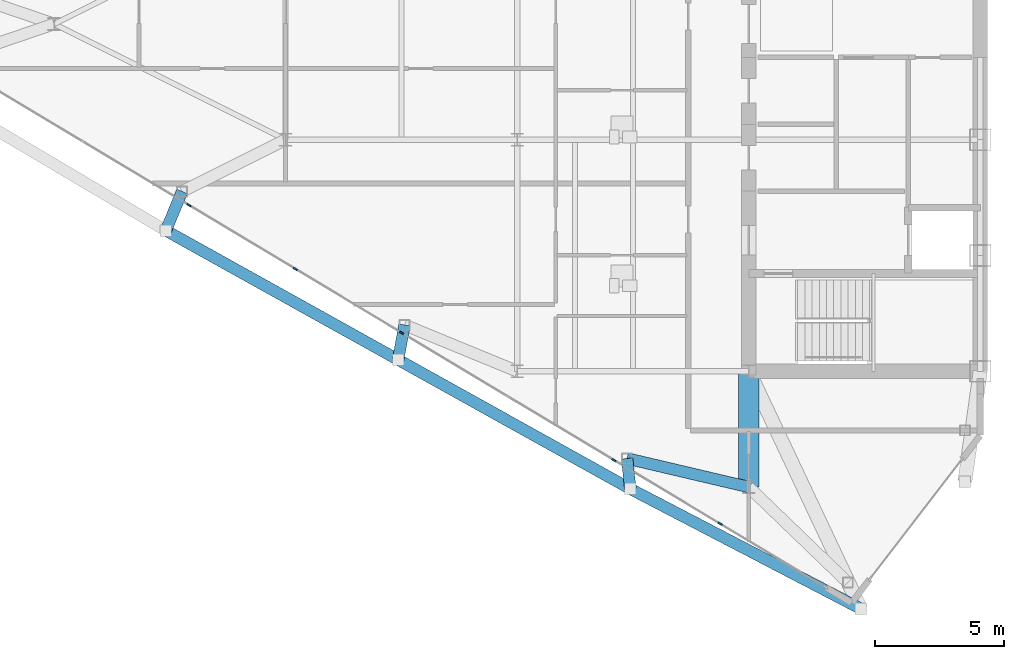
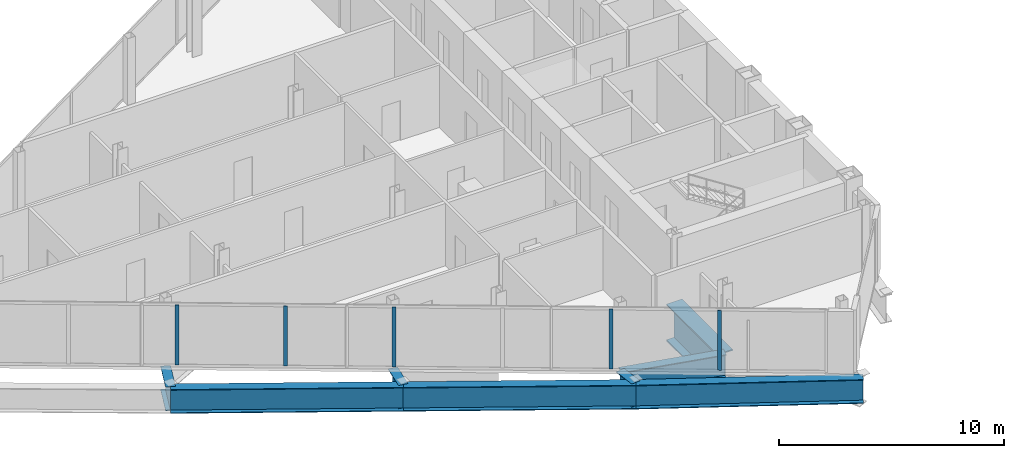
# One storey, part 5 of 29: 8 beams, 5 members, 1 element without a shape of its own.
"""IFC4 building model written with IfcOpenShell, lengths in metres."""

from ifc_helpers import new_model, si_unit, direction, frame, origin, origin_2d, place, context, subcontext, project, spatial, rectangle, i_section, extrude, source, transform, mapped, material, layer, layer_set, material_profile, profile_set, type_object, type_shapes, element, aggregate, save


model = new_model("IFC4")

# Units and contexts
model_context = context("Model", 3, precision=1e-05, world=origin(), true_north=direction((0.0, 1.0)))
body_context = subcontext(model_context, "Body", "Model", "MODEL_VIEW")
ifc_project = project(units=[si_unit("LENGTHUNIT", "METRE"), si_unit("AREAUNIT", "SQUARE_METRE"), si_unit("VOLUMEUNIT", "CUBIC_METRE"), si_unit("PLANEANGLEUNIT", "RADIAN"), si_unit("MASSUNIT", "GRAM", prefix="KILO")], contexts=[model_context])

# Site, building, storey
site_placement = place(None, origin())
site = spatial("IfcSite", under=ifc_project, at=site_placement, CompositionType="ELEMENT")
building_placement = place(site_placement, origin())
building = spatial("IfcBuilding", under=site, at=building_placement, Name="Seokmaru Belvedere", CompositionType="ELEMENT")
storey_placement = place(building_placement, frame((0.0, 0.0, 195.89990234375)))
storey = spatial("IfcBuildingStorey", under=building, at=storey_placement, Name="L52", CompositionType="ELEMENT", Elevation=195.89990234375)

# Beams
ifc_material_1 = material(Name="Steel HSA650 (650 MPa)", Category="steel")
ifc_material_profile_1 = material_profile(ifc_material_1, i_section(OverallWidth=0.800048828125, OverallDepth=2.0, WebThickness=0.0400390625, FlangeThickness=0.070068359375, at=origin_2d()), Name="BH-2000x800x40x70")
ifc_profile_set_1 = profile_set([ifc_material_profile_1], Name="Steel HSA650 (650 MPa)")
beam_type_1 = type_object("IfcBeamType", Name="Sky-Gate Transfer Truss Chord Girder BH-2000", PredefinedType="BEAM", material=ifc_profile_set_1)
shared_shape_1 = source(origin(), body_context, "Body", "SweptSolid", [
    extrude(i_section(OverallWidth=0.800048828125, OverallDepth=2.0, WebThickness=0.0400390625, FlangeThickness=0.070068359375, at=origin_2d()), origin(), (0.0, 0.0, 1.0), 4.5),
])
type_shapes(beam_type_1, [shared_shape_1])
beam_1_placement = place(storey_placement, frame((-36.5, -18.0, -1.219970703125), z_axis=(0.0, 1.0, 0.0), x_axis=(-1.0, 0.0, 0.0)))
element("IfcBeam", 1, at=beam_1_placement, inside=storey, type_object=beam_type_1, Name="L52 W Core Shoulder Girder S", PredefinedType="BEAM", context=body_context, shape_type="MappedRepresentation", body=[
    mapped(shared_shape_1, transform((0.0, 0.0, 0.0), scale=1.0)),
])
ifc_material_profile_2 = material_profile(ifc_material_1, i_section(OverallWidth=0.449951171875, OverallDepth=1.300048828125, WebThickness=0.02197265625, FlangeThickness=0.0380859375, at=origin_2d()), Name="BH-1300x450x22x38")
ifc_profile_set_2 = profile_set([ifc_material_profile_2], Name="Steel HSA650 (650 MPa)")
beam_type_2 = type_object("IfcBeamType", Name="Observatory Long-Span Roof Girder BH-1300", PredefinedType="BEAM", material=ifc_profile_set_2)
shared_shape_2 = source(origin(), body_context, "Body", "SweptSolid", [
    extrude(i_section(OverallWidth=0.449951171875, OverallDepth=1.300048828125, WebThickness=0.02197265625, FlangeThickness=0.0380859375, at=origin_2d()), origin(), (0.0, 0.0, 1.0), 10.09716796875),
])
beam_2_placement = place(storey_placement, frame((-32.146728515625, -22.731689453125, -0.869873046875), z_axis=(-0.887085728914, 0.461604711369, 0.0), x_axis=(-0.461604711369, -0.887085728914, 0.0)))
element("IfcBeam", 2, at=beam_2_placement, inside=storey, type_object=beam_type_2, Name="L52 W Faceted Flank Spandrel S-1", PredefinedType="BEAM", context=body_context, shape_type="MappedRepresentation", body=[
    mapped(shared_shape_2, transform((0.0, 0.0, 0.0), scale=1.0)),
])
shared_shape_3 = source(origin(), body_context, "Body", "SweptSolid", [
    extrude(i_section(OverallWidth=0.449951171875, OverallDepth=1.300048828125, WebThickness=0.02197265625, FlangeThickness=0.0380859375, at=origin_2d()), origin(), (0.0, 0.0, 1.0), 10.327392578125),
])
for number, where, z_axis, x_axis, name in (
    (3, (-41.103759765625, -18.07080078125, -0.869873046875), (-0.873924120588, 0.486062374037, 0.0), (-0.486062374037, -0.873924120588, 0.0), "L52 W Faceted Flank Spandrel S-2"),
    (4, (-50.129150390625, -13.051025390625, -0.869873046875), (-0.873934162361, 0.48604431882, 0.0), (-0.48604431882, -0.873934162361, 0.0), "L52 W Faceted Flank Spandrel S-3"),
):
    element("IfcBeam", number, at=place(storey_placement, frame(where, z_axis=z_axis, x_axis=x_axis)), inside=storey, type_object=beam_type_2, Name=name, PredefinedType="BEAM", context=body_context, shape_type="MappedRepresentation", body=[
        mapped(shared_shape_3, transform((0.0, 0.0, 0.0), scale=1.0)),
    ])
shared_shape_4 = source(origin(), body_context, "Body", "SweptSolid", [
    extrude(i_section(OverallWidth=0.449951171875, OverallDepth=1.300048828125, WebThickness=0.02197265625, FlangeThickness=0.0380859375, at=origin_2d()), origin(), (0.0, 0.0, 1.0), 1.1884765625),
])
beam_3_placement = place(storey_placement, frame((-41.103759765625, -18.07080078125, -0.869873046875), z_axis=(-0.105989159107, 0.994367285339, 0.0), x_axis=(-0.994367285339, -0.105989159107, 0.0)))
element("IfcBeam", 5, at=beam_3_placement, inside=storey, type_object=beam_type_2, Name="L52 W Flank Setback Step Girder S-1", PredefinedType="BEAM", context=body_context, shape_type="MappedRepresentation", body=[
    mapped(shared_shape_4, transform((0.0, 0.0, 0.0), scale=1.0)),
])
shared_shape_5 = source(origin(), body_context, "Body", "SweptSolid", [
    extrude(i_section(OverallWidth=0.449951171875, OverallDepth=1.300048828125, WebThickness=0.02197265625, FlangeThickness=0.0380859375, at=origin_2d()), origin(), (0.0, 0.0, 1.0), 4.8583984375),
])
beam_4_placement = place(storey_placement, frame((-41.229736328125, -16.888916015625, -0.869873046875), z_axis=(0.97349948295, -0.228689214211, 0.0), x_axis=(0.228689214211, 0.97349948295, 0.0)))
element("IfcBeam", 6, at=beam_4_placement, inside=storey, type_object=beam_type_2, Name="L52 W Flank Setback Back-Span Girder S-1", PredefinedType="BEAM", context=body_context, shape_type="MappedRepresentation", body=[
    mapped(shared_shape_5, transform((0.0, 0.0, 0.0), scale=1.0)),
])
shared_shape_6 = source(origin(), body_context, "Body", "SweptSolid", [
    extrude(i_section(OverallWidth=0.449951171875, OverallDepth=1.300048828125, WebThickness=0.02197265625, FlangeThickness=0.0380859375, at=origin_2d()), origin(), (0.0, 0.0, 1.0), 1.374755859375),
])
beam_5_placement = place(storey_placement, frame((-50.129150390625, -13.051025390625, -0.869873046875), z_axis=(0.181307058967, 0.983426535319, 0.0), x_axis=(-0.983426535319, 0.181307058967, 0.0)))
element("IfcBeam", 7, at=beam_5_placement, inside=storey, type_object=beam_type_2, Name="L52 W Flank Setback Step Girder S-2", PredefinedType="BEAM", context=body_context, shape_type="MappedRepresentation", body=[
    mapped(shared_shape_6, transform((0.0, 0.0, 0.0), scale=1.0)),
])
shared_shape_7 = source(origin(), body_context, "Body", "SweptSolid", [
    extrude(i_section(OverallWidth=0.449951171875, OverallDepth=1.300048828125, WebThickness=0.02197265625, FlangeThickness=0.0380859375, at=origin_2d()), origin(), (0.0, 0.0, 1.0), 1.645751953125),
])
type_shapes(beam_type_2, [shared_shape_2, shared_shape_3, shared_shape_4, shared_shape_5, shared_shape_6, shared_shape_7])
beam_6_placement = place(storey_placement, frame((-59.154541015625, -8.031494140625, -0.869873046875), z_axis=(0.379458683871, 0.925208683074, 0.0), x_axis=(-0.925208683074, 0.379458683871, 0.0)))
element("IfcBeam", 8, at=beam_6_placement, inside=storey, type_object=beam_type_2, Name="L52 W Flank Setback Step Girder S-3", PredefinedType="BEAM", context=body_context, shape_type="MappedRepresentation", body=[
    mapped(shared_shape_7, transform((0.0, 0.0, 0.0), scale=1.0)),
])

# Curtain wall, members
ifc_material_2 = material(Name="Bronze Triple Insulating Glass", Category="glass")
ifc_layer = layer(ifc_material_2, 0.179931640625)
ifc_layer_set = layer_set([ifc_layer], Name="Bronze Triple Insulating Glass")
curtain_wall_type = type_object("IfcCurtainWallType", Name="High-Rise Wind-Corner Curtain Wall System CW-5", PredefinedType="NOTDEFINED", material=ifc_layer_set)
curtain_wall_placement = place(storey_placement, origin())
curtain_wall = element("IfcCurtainWall", 9, at=curtain_wall_placement, inside=storey, type_object=curtain_wall_type, Name="L52 Curtain Wall WF5", PredefinedType="NOTDEFINED")
ifc_material_3 = material(Name="Anodised Bronze Aluminium", Category="aluminium")
ifc_material_profile_3 = material_profile(ifc_material_3, rectangle(XDim=0.06494140625, YDim=0.179931640625, at=origin_2d()), Name="CW-M-65x180")
ifc_profile_set_3 = profile_set([ifc_material_profile_3], Name="Anodised Bronze Aluminium")
member_type = type_object("IfcMemberType", Name="Bronze Unitised Mullion 65x180", PredefinedType="MULLION", material=ifc_profile_set_3)
shared_shape_8 = source(origin(), body_context, "Body", "SweptSolid", [
    extrude(rectangle(XDim=0.06494140625, YDim=0.179931640625, at=origin_2d()), origin(), (0.0, 0.0, 1.0), 3.25),
])
type_shapes(member_type, [shared_shape_8])
member_1_placement = place(storey_placement, frame((-58.257080078125, -7.0458984375, 0.065185546875), z_axis=(0.0, 0.0, 1.0), x_axis=(0.514494909364, 0.85749343335, 0.0)))
member_1 = element("IfcMember", 10, at=member_1_placement, type_object=member_type, Name="CW:L52:WF5 Mullion 3", PredefinedType="MULLION", context=body_context, shape_type="MappedRepresentation", body=[
    mapped(shared_shape_8, transform((0.0, 0.0, 0.0), scale=1.0)),
])
member_2_placement = place(storey_placement, frame((-54.12841796875, -9.52294921875, 0.065185546875), z_axis=(0.0, 0.0, 1.0), x_axis=(0.514494909364, 0.85749343335, 0.0)))
member_2 = element("IfcMember", 11, at=member_2_placement, type_object=member_type, Name="CW:L52:WF5 Mullion 4", PredefinedType="MULLION", context=body_context, shape_type="MappedRepresentation", body=[
    mapped(shared_shape_8, transform((0.0, 0.0, 0.0), scale=1.0)),
])
member_3_placement = place(storey_placement, frame((-50.0, -12.0, 0.065185546875), z_axis=(0.0, 0.0, 1.0), x_axis=(0.514494909364, 0.85749343335, 0.0)))
member_3 = element("IfcMember", 12, at=member_3_placement, type_object=member_type, Name="CW:L52:WF5 Mullion 5", PredefinedType="MULLION", context=body_context, shape_type="MappedRepresentation", body=[
    mapped(shared_shape_8, transform((0.0, 0.0, 0.0), scale=1.0)),
])
member_4_placement = place(storey_placement, frame((-41.742919921875, -16.9541015625, 0.065185546875), z_axis=(0.0, 0.0, 1.0), x_axis=(0.514494909364, 0.85749343335, 0.0)))
member_4 = element("IfcMember", 13, at=member_4_placement, type_object=member_type, Name="CW:L52:WF5 Mullion 7", PredefinedType="MULLION", context=body_context, shape_type="MappedRepresentation", body=[
    mapped(shared_shape_8, transform((0.0, 0.0, 0.0), scale=1.0)),
])
member_5_placement = place(storey_placement, frame((-37.614501953125, -19.43115234375, 0.065185546875), z_axis=(0.0, 0.0, 1.0), x_axis=(0.514494909364, 0.85749343335, 0.0)))
member_5 = element("IfcMember", 14, at=member_5_placement, type_object=member_type, Name="CW:L52:WF5 Mullion 8", PredefinedType="MULLION", context=body_context, shape_type="MappedRepresentation", body=[
    mapped(shared_shape_8, transform((0.0, 0.0, 0.0), scale=1.0)),
])
aggregate(curtain_wall, [member_1, member_2, member_3, member_4, member_5])

save(model, "model.ifc")
